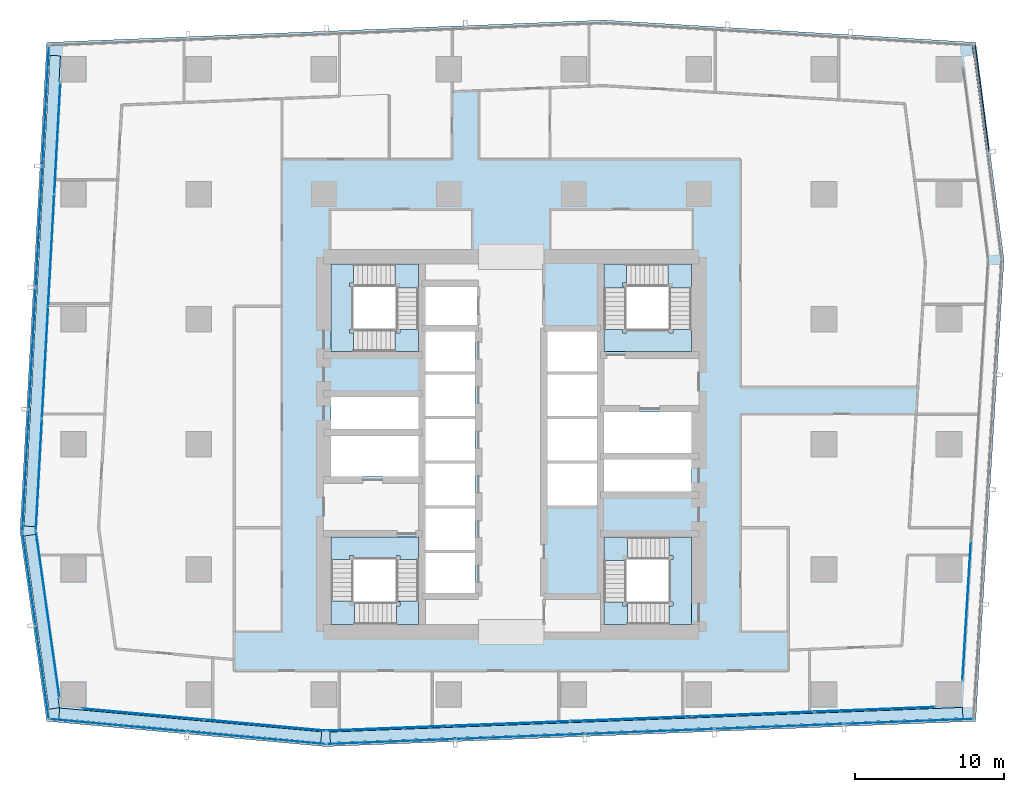
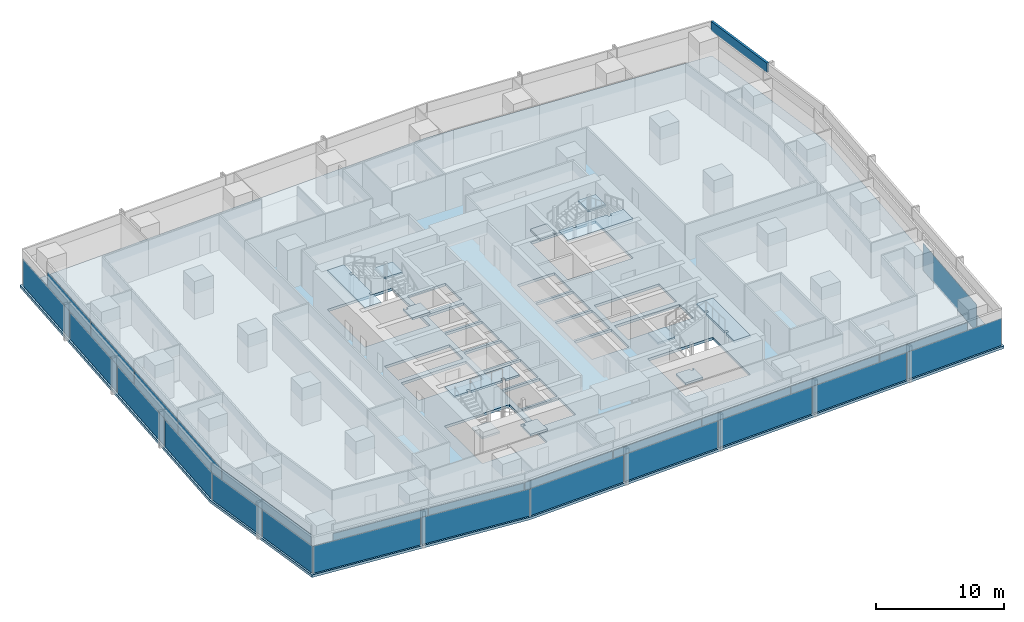
# One storey, part 27 of 40: 30 plates, 13 slabs, 1 member, 14 elements without a shape of their own.
"""IFC4 building model written with IfcOpenShell, lengths in metres."""

from ifc_helpers import new_model, si_unit, direction, frame, origin, origin_2d, place, context, subcontext, project, spatial, polyline, rectangle, hollow_rectangle, outline, extrude, material, layer, layer_set, material_profile, profile_set, type_object, element, aggregate, save


model = new_model("IFC4")

# Units and contexts
model_context = context("Model", 3, precision=1e-05, world=origin(), true_north=direction((0.0, 1.0)))
body_context = subcontext(model_context, "Body", "Model", "MODEL_VIEW")
ifc_project = project(units=[si_unit("LENGTHUNIT", "METRE"), si_unit("AREAUNIT", "SQUARE_METRE"), si_unit("VOLUMEUNIT", "CUBIC_METRE"), si_unit("PLANEANGLEUNIT", "RADIAN"), si_unit("MASSUNIT", "GRAM", prefix="KILO")], contexts=[model_context])

# Site, building, storey
site_placement = place(None, origin())
site = spatial("IfcSite", under=ifc_project, at=site_placement, CompositionType="ELEMENT")
building_placement = place(site_placement, origin())
building = spatial("IfcBuilding", under=site, at=building_placement, Name="Rekha Terrace Tower", CompositionType="ELEMENT")
storey_placement = place(building_placement, frame((0.0, 0.0, 125.300048828125)))
storey = spatial("IfcBuildingStorey", under=building, at=storey_placement, Name="L31", CompositionType="ELEMENT", Elevation=125.300048828125)

# Curtain wall, member
ifc_material_1 = material(Name="Aluminium framing", Category="aluminium")
curtain_wall_type_1 = type_object("IfcCurtainWallType", Name="CW2 double skin outer glazing", PredefinedType="USERDEFINED", material=ifc_material_1)
curtain_wall_1_placement = place(storey_placement, origin())
curtain_wall_1 = element("IfcCurtainWall", 1, at=curtain_wall_1_placement, inside=storey, type_object=curtain_wall_type_1, Name="CW2 double skin outer glazing", ObjectType="DOUBLE SKIN OUTER GLAZING", PredefinedType="USERDEFINED")
ifc_material_2 = material(Name="Insulated aluminium spandrel box", Category="aluminium")
ifc_material_profile = material_profile(ifc_material_2, hollow_rectangle(XDim=0.199951171875, YDim=0.89990234375, WallThickness=0.0029296875, at=origin_2d()), Name="AL SPANDREL BOX 200x900")
ifc_profile_set = profile_set([ifc_material_profile], Name="Insulated aluminium spandrel box")
member_type = type_object("IfcMemberType", Name="CW2 spandrel transom 200 x 900", PredefinedType="USERDEFINED", material=ifc_profile_set)
member_placement = place(storey_placement, frame((69.793701171875, 53.26513671875, 3.050048828125), z_axis=(-0.12912937971, 0.9916277544, 0.0), x_axis=(-0.9916277544, -0.12912937971, 0.0)))
member = element("IfcMember", 2, at=member_placement, type_object=member_type, Name="CW2 spandrel transom 2", ObjectType="TRANSOM", PredefinedType="USERDEFINED", context=body_context, shape_type="SweptSolid", body=[
    extrude(hollow_rectangle(XDim=0.199951171875, YDim=0.89990234375, WallThickness=0.0029296875, at=origin_2d()), origin(), (0.0, 0.0, 1.0), 7.163818359375),
])
aggregate(curtain_wall_1, [member])

# Curtain wall, plates
curtain_wall_type_2 = type_object("IfcCurtainWallType", Name="CW1 double skin inner glazing", PredefinedType="USERDEFINED", material=ifc_material_1)
curtain_wall_2_placement = place(storey_placement, origin())
curtain_wall_2 = element("IfcCurtainWall", 3, at=curtain_wall_2_placement, inside=storey, type_object=curtain_wall_type_2, Name="CW1 double skin inner glazing", ObjectType="DOUBLE SKIN INNER GLAZING", PredefinedType="USERDEFINED")
ifc_material_3 = material(Name="Double-glazed low-e unit 32", Category="glass")
ifc_layer_1 = layer(ifc_material_3, 0.031982421875)
ifc_layer_set_1 = layer_set([ifc_layer_1], Name="Double-glazed low-e unit 32")
plate_type_1 = type_object("IfcPlateType", Name="CW1 jumbo vision panel, double-glazed low-e unit 32", PredefinedType="CURTAIN_PANEL", material=ifc_layer_set_1)
plate_1_placement = place(storey_placement, frame((13.0439453125, 15.479248046875, 0.0), z_axis=(0.0, 0.0, 1.0), x_axis=(0.995901923142, -0.090439811381, 0.0)))
plate_1 = element("IfcPlate", 4, at=plate_1_placement, type_object=plate_type_1, Name="CW1 panel 1.1", PredefinedType="CURTAIN_PANEL", context=body_context, shape_type="SweptSolid", body=[
    extrude(rectangle(XDim=8.1494140625, YDim=0.031982421875, at=origin_2d()), origin(), (0.0, 0.0, 1.0), 2.60009765625),
])
plate_2_placement = place(storey_placement, frame((21.257080078125, 14.7333984375, 0.0), z_axis=(0.0, 0.0, 1.0), x_axis=(0.995901923142, -0.090439811381, 0.0)))
plate_2 = element("IfcPlate", 5, at=plate_2_placement, type_object=plate_type_1, Name="CW1 panel 2.1", PredefinedType="CURTAIN_PANEL", context=body_context, shape_type="SweptSolid", body=[
    extrude(rectangle(XDim=8.214599609375, YDim=0.031982421875, at=origin_2d()), origin(), (0.0, 0.0, 1.0), 2.60009765625),
])
aggregate(curtain_wall_2, [plate_1, plate_2])

curtain_wall_3_placement = place(storey_placement, origin())
curtain_wall_3 = element("IfcCurtainWall", 6, at=curtain_wall_3_placement, inside=storey, type_object=curtain_wall_type_2, Name="CW1 double skin inner glazing", ObjectType="DOUBLE SKIN INNER GLAZING", PredefinedType="USERDEFINED")
plate_3_placement = place(storey_placement, frame((29.4619140625, 14.52197265625, 0.0), z_axis=(0.0, 0.0, 1.0), x_axis=(0.999243498917, 0.038889971345, 0.0)))
plate_3 = element("IfcPlate", 7, at=plate_3_placement, type_object=plate_type_1, Name="CW1 panel 1.1", PredefinedType="CURTAIN_PANEL", context=body_context, shape_type="SweptSolid", body=[
    extrude(rectangle(XDim=8.105224609375, YDim=0.031982421875, at=origin_2d()), origin(), (0.0, 0.0, 1.0), 2.60009765625),
])
plate_4_placement = place(storey_placement, frame((37.64208984375, 14.84033203125, 0.0), z_axis=(0.0, 0.0, 1.0), x_axis=(0.999243498917, 0.038889971345, 0.0)))
plate_4 = element("IfcPlate", 8, at=plate_4_placement, type_object=plate_type_1, Name="CW1 panel 2.1", PredefinedType="CURTAIN_PANEL", context=body_context, shape_type="SweptSolid", body=[
    extrude(rectangle(XDim=8.1376953125, YDim=0.031982421875, at=origin_2d()), origin(), (0.0, 0.0, 1.0), 2.60009765625),
])
plate_5_placement = place(storey_placement, frame((45.838623046875, 15.159423828125, 0.0), z_axis=(0.0, 0.0, 1.0), x_axis=(0.999243498917, 0.038889971345, 0.0)))
plate_5 = element("IfcPlate", 9, at=plate_5_placement, type_object=plate_type_1, Name="CW1 panel 3.1", PredefinedType="CURTAIN_PANEL", context=body_context, shape_type="SweptSolid", body=[
    extrude(rectangle(XDim=8.1376953125, YDim=0.031982421875, at=origin_2d()), origin(), (0.0, 0.0, 1.0), 2.60009765625),
])
plate_6_placement = place(storey_placement, frame((54.034912109375, 15.478271484375, 0.0), z_axis=(0.0, 0.0, 1.0), x_axis=(0.999243498917, 0.038889971345, 0.0)))
plate_6 = element("IfcPlate", 10, at=plate_6_placement, type_object=plate_type_1, Name="CW1 panel 4.1", PredefinedType="CURTAIN_PANEL", context=body_context, shape_type="SweptSolid", body=[
    extrude(rectangle(XDim=8.1376953125, YDim=0.031982421875, at=origin_2d()), origin(), (0.0, 0.0, 1.0), 2.60009765625),
])
plate_7_placement = place(storey_placement, frame((62.21533203125, 15.796630859375, 0.0), z_axis=(0.0, 0.0, 1.0), x_axis=(0.999243498917, 0.038889971345, 0.0)))
plate_7 = element("IfcPlate", 11, at=plate_7_placement, type_object=plate_type_1, Name="CW1 panel 5.1", PredefinedType="CURTAIN_PANEL", context=body_context, shape_type="SweptSolid", body=[
    extrude(rectangle(XDim=8.105224609375, YDim=0.031982421875, at=origin_2d()), origin(), (0.0, 0.0, 1.0), 2.60009765625),
])
aggregate(curtain_wall_3, [plate_3, plate_4, plate_5, plate_6, plate_7])

# Curtain wall, plate
curtain_wall_4_placement = place(storey_placement, origin())
curtain_wall_4 = element("IfcCurtainWall", 12, at=curtain_wall_4_placement, inside=storey, type_object=curtain_wall_type_2, Name="CW1 double skin inner glazing", ObjectType="DOUBLE SKIN INNER GLAZING", PredefinedType="USERDEFINED")
plate_8_placement = place(storey_placement, frame((68.391357421875, 22.400634765625, 0.0), z_axis=(0.0, 0.0, 1.0), x_axis=(0.061159803131, 0.998127987024, 0.0)))
plate_8 = element("IfcPlate", 13, at=plate_8_placement, type_object=plate_type_1, Name="CW1 panel 1.1", PredefinedType="CURTAIN_PANEL", context=body_context, shape_type="SweptSolid", body=[
    extrude(rectangle(XDim=9.355224609375, YDim=0.031982421875, at=origin_2d()), origin(), (0.0, 0.0, 1.0), 2.60009765625),
])
aggregate(curtain_wall_4, [plate_8])

# Curtain wall, plates
curtain_wall_5_placement = place(storey_placement, origin())
curtain_wall_5 = element("IfcCurtainWall", 14, at=curtain_wall_5_placement, inside=storey, type_object=curtain_wall_type_2, Name="CW1 double skin inner glazing", ObjectType="DOUBLE SKIN INNER GLAZING", PredefinedType="USERDEFINED")
plate_9_placement = place(storey_placement, frame((7.30810546875, 54.15087890625, 0.0), z_axis=(0.0, 0.0, 1.0), x_axis=(-0.054742352707, -0.99850051318, 0.0)))
plate_9 = element("IfcPlate", 15, at=plate_9_placement, type_object=plate_type_1, Name="CW1 panel 1.1", PredefinedType="CURTAIN_PANEL", context=body_context, shape_type="SweptSolid", body=[
    extrude(rectangle(XDim=7.443359375, YDim=0.031982421875, at=origin_2d()), origin(), (0.0, 0.0, 1.0), 2.60009765625),
])
plate_10_placement = place(storey_placement, frame((6.89599609375, 46.637451171875, 0.0), z_axis=(0.0, 0.0, 1.0), x_axis=(-0.054742352707, -0.99850051318, 0.0)))
plate_10 = element("IfcPlate", 16, at=plate_10_placement, type_object=plate_type_1, Name="CW1 panel 2.1", PredefinedType="CURTAIN_PANEL", context=body_context, shape_type="SweptSolid", body=[
    extrude(rectangle(XDim=7.475830078125, YDim=0.031982421875, at=origin_2d()), origin(), (0.0, 0.0, 1.0), 2.60009765625),
])
plate_11_placement = place(storey_placement, frame((6.4833984375, 39.10791015625, 0.0), z_axis=(0.0, 0.0, 1.0), x_axis=(-0.054742352707, -0.99850051318, 0.0)))
plate_11 = element("IfcPlate", 17, at=plate_11_placement, type_object=plate_type_1, Name="CW1 panel 3.1", PredefinedType="CURTAIN_PANEL", context=body_context, shape_type="SweptSolid", body=[
    extrude(rectangle(XDim=7.475830078125, YDim=0.031982421875, at=origin_2d()), origin(), (0.0, 0.0, 1.0), 2.60009765625),
])
plate_12_placement = place(storey_placement, frame((6.069580078125, 31.56201171875, 0.0), z_axis=(0.0, 0.0, 1.0), x_axis=(-0.054742352707, -0.99850051318, 0.0)))
plate_12 = element("IfcPlate", 18, at=plate_12_placement, type_object=plate_type_1, Name="CW1 panel 4.1", PredefinedType="CURTAIN_PANEL", context=body_context, shape_type="SweptSolid", body=[
    extrude(rectangle(XDim=7.508544921875, YDim=0.031982421875, at=origin_2d()), origin(), (0.0, 0.0, 1.0), 2.60009765625),
])
aggregate(curtain_wall_5, [plate_9, plate_10, plate_11, plate_12])

# Curtain wall, plate
curtain_wall_6_placement = place(storey_placement, origin())
curtain_wall_6 = element("IfcCurtainWall", 19, at=curtain_wall_6_placement, inside=storey, type_object=curtain_wall_type_2, Name="CW1 double skin inner glazing", ObjectType="DOUBLE SKIN INNER GLAZING", PredefinedType="USERDEFINED")
plate_13_placement = place(storey_placement, frame((6.65869140625, 22.177490234375, 0.0), z_axis=(0.0, 0.0, 1.0), x_axis=(0.139597048082, -0.990208394312, 0.0)))
plate_13 = element("IfcPlate", 20, at=plate_13_placement, type_object=plate_type_1, Name="CW1 panel 1.1", PredefinedType="CURTAIN_PANEL", context=body_context, shape_type="SweptSolid", body=[
    extrude(rectangle(XDim=11.253173828125, YDim=0.031982421875, at=origin_2d()), origin(), (0.0, 0.0, 1.0), 2.60009765625),
])
aggregate(curtain_wall_6, [plate_13])

# Curtain wall, plates
curtain_wall_7_placement = place(storey_placement, origin())
curtain_wall_7 = element("IfcCurtainWall", 21, at=curtain_wall_7_placement, inside=storey, type_object=curtain_wall_type_1, Name="CW2 double skin outer glazing", ObjectType="DOUBLE SKIN OUTER GLAZING", PredefinedType="USERDEFINED")
ifc_material_4 = material(Name="Toughened single glazing 12", Category="glass")
ifc_layer_2 = layer(ifc_material_4, 0.011962890625)
ifc_layer_set_2 = layer_set([ifc_layer_2], Name="Toughened single glazing 12")
plate_type_2 = type_object("IfcPlateType", Name="CW2 jumbo vision panel, toughened single glazing 12", PredefinedType="CURTAIN_PANEL", material=ifc_layer_set_2)
plate_14_placement = place(storey_placement, frame((11.406494140625, 14.72412109375, 0.0), z_axis=(0.0, 0.0, 1.0), x_axis=(0.995901923137, -0.090439811433, 0.0)))
plate_14 = element("IfcPlate", 22, at=plate_14_placement, type_object=plate_type_2, Name="CW2 panel 1.1", PredefinedType="CURTAIN_PANEL", context=body_context, shape_type="SweptSolid", body=[
    extrude(rectangle(XDim=9.2099609375, YDim=0.011962890625, at=origin_2d()), origin(), (0.0, 0.0, 1.0), 2.60009765625),
])
plate_15_placement = place(storey_placement, frame((20.6982421875, 13.88037109375, 0.0), z_axis=(0.0, 0.0, 1.0), x_axis=(0.995901923137, -0.090439811433, 0.0)))
plate_15 = element("IfcPlate", 23, at=plate_15_placement, type_object=plate_type_2, Name="CW2 panel 2.1", PredefinedType="CURTAIN_PANEL", context=body_context, shape_type="SweptSolid", body=[
    extrude(rectangle(XDim=9.2900390625, YDim=0.011962890625, at=origin_2d()), origin(), (0.0, 0.0, 1.0), 2.60009765625),
])
aggregate(curtain_wall_7, [plate_14, plate_15])

curtain_wall_8_placement = place(storey_placement, origin())
curtain_wall_8 = element("IfcCurtainWall", 24, at=curtain_wall_8_placement, inside=storey, type_object=curtain_wall_type_1, Name="CW2 double skin outer glazing", ObjectType="DOUBLE SKIN OUTER GLAZING", PredefinedType="USERDEFINED")
plate_16_placement = place(storey_placement, frame((29.696533203125, 13.63037109375, 0.0), z_axis=(0.0, 0.0, 1.0), x_axis=(0.999243498917, 0.038889971345, 0.0)))
plate_16 = element("IfcPlate", 25, at=plate_16_placement, type_object=plate_type_2, Name="CW2 panel 1.1", PredefinedType="CURTAIN_PANEL", context=body_context, shape_type="SweptSolid", body=[
    extrude(rectangle(XDim=8.591552734375, YDim=0.011962890625, at=origin_2d()), origin(), (0.0, 0.0, 1.0), 2.60009765625),
])
plate_17_placement = place(storey_placement, frame((38.381591796875, 13.968505859375, 0.0), z_axis=(0.0, 0.0, 1.0), x_axis=(0.999243498917, 0.038889971345, 0.0)))
plate_17 = element("IfcPlate", 26, at=plate_17_placement, type_object=plate_type_2, Name="CW2 panel 2.1", PredefinedType="CURTAIN_PANEL", context=body_context, shape_type="SweptSolid", body=[
    extrude(rectangle(XDim=8.631591796875, YDim=0.011962890625, at=origin_2d()), origin(), (0.0, 0.0, 1.0), 2.60009765625),
])
plate_18_placement = place(storey_placement, frame((47.086669921875, 14.307373046875, 0.0), z_axis=(0.0, 0.0, 1.0), x_axis=(0.999243498917, 0.038889971345, 0.0)))
plate_18 = element("IfcPlate", 27, at=plate_18_placement, type_object=plate_type_2, Name="CW2 panel 3.1", PredefinedType="CURTAIN_PANEL", context=body_context, shape_type="SweptSolid", body=[
    extrude(rectangle(XDim=8.631591796875, YDim=0.011962890625, at=origin_2d()), origin(), (0.0, 0.0, 1.0), 2.60009765625),
])
plate_19_placement = place(storey_placement, frame((55.791748046875, 14.64599609375, 0.0), z_axis=(0.0, 0.0, 1.0), x_axis=(0.999243498917, 0.038889971345, 0.0)))
plate_19 = element("IfcPlate", 28, at=plate_19_placement, type_object=plate_type_2, Name="CW2 panel 4.1", PredefinedType="CURTAIN_PANEL", context=body_context, shape_type="SweptSolid", body=[
    extrude(rectangle(XDim=8.631591796875, YDim=0.011962890625, at=origin_2d()), origin(), (0.0, 0.0, 1.0), 2.60009765625),
])
plate_20_placement = place(storey_placement, frame((64.5166015625, 14.985595703125, 0.0), z_axis=(0.0, 0.0, 1.0), x_axis=(0.999243498917, 0.038889971345, 0.0)))
plate_20 = element("IfcPlate", 29, at=plate_20_placement, type_object=plate_type_2, Name="CW2 panel 5.1", PredefinedType="CURTAIN_PANEL", context=body_context, shape_type="SweptSolid", body=[
    extrude(rectangle(XDim=8.671630859375, YDim=0.011962890625, at=origin_2d()), origin(), (0.0, 0.0, 1.0), 2.60009765625),
])
aggregate(curtain_wall_8, [plate_16, plate_17, plate_18, plate_19, plate_20])

curtain_wall_9_placement = place(storey_placement, origin())
curtain_wall_9 = element("IfcCurtainWall", 30, at=curtain_wall_9_placement, inside=storey, type_object=curtain_wall_type_1, Name="CW2 double skin outer glazing", ObjectType="DOUBLE SKIN OUTER GLAZING", PredefinedType="USERDEFINED")
plate_21_placement = place(storey_placement, frame((6.52685546875, 56.342041015625, 0.0), z_axis=(0.0, 0.0, 1.0), x_axis=(-0.054742352707, -0.99850051318, 0.0)))
plate_21 = element("IfcPlate", 31, at=plate_21_placement, type_object=plate_type_2, Name="CW2 panel 1.1", PredefinedType="CURTAIN_PANEL", context=body_context, shape_type="SweptSolid", body=[
    extrude(rectangle(XDim=8.06005859375, YDim=0.011962890625, at=origin_2d()), origin(), (0.0, 0.0, 1.0), 2.60009765625),
])
plate_22_placement = place(storey_placement, frame((6.080078125, 48.1943359375, 0.0), z_axis=(0.0, 0.0, 1.0), x_axis=(-0.054742352707, -0.99850051318, 0.0)))
plate_22 = element("IfcPlate", 32, at=plate_22_placement, type_object=plate_type_2, Name="CW2 panel 2.1", PredefinedType="CURTAIN_PANEL", context=body_context, shape_type="SweptSolid", body=[
    extrude(rectangle(XDim=8.10009765625, YDim=0.011962890625, at=origin_2d()), origin(), (0.0, 0.0, 1.0), 2.60009765625),
])
plate_23_placement = place(storey_placement, frame((5.63232421875, 40.026611328125, 0.0), z_axis=(0.0, 0.0, 1.0), x_axis=(-0.054742352707, -0.99850051318, 0.0)))
plate_23 = element("IfcPlate", 33, at=plate_23_placement, type_object=plate_type_2, Name="CW2 panel 3.1", PredefinedType="CURTAIN_PANEL", context=body_context, shape_type="SweptSolid", body=[
    extrude(rectangle(XDim=8.10009765625, YDim=0.011962890625, at=origin_2d()), origin(), (0.0, 0.0, 1.0), 2.60009765625),
])
plate_24_placement = place(storey_placement, frame((5.183349609375, 31.8388671875, 0.0), z_axis=(0.0, 0.0, 1.0), x_axis=(-0.054742352707, -0.99850051318, 0.0)))
plate_24 = element("IfcPlate", 34, at=plate_24_placement, type_object=plate_type_2, Name="CW2 panel 4.1", PredefinedType="CURTAIN_PANEL", context=body_context, shape_type="SweptSolid", body=[
    extrude(rectangle(XDim=8.14013671875, YDim=0.011962890625, at=origin_2d()), origin(), (0.0, 0.0, 1.0), 2.60009765625),
])
aggregate(curtain_wall_9, [plate_21, plate_22, plate_23, plate_24])

curtain_wall_10_placement = place(storey_placement, origin())
curtain_wall_10 = element("IfcCurtainWall", 35, at=curtain_wall_10_placement, inside=storey, type_object=curtain_wall_type_1, Name="CW2 double skin outer glazing", ObjectType="DOUBLE SKIN OUTER GLAZING", PredefinedType="USERDEFINED")
plate_25_placement = place(storey_placement, frame((5.408447265625, 24.598388671875, 0.0), z_axis=(0.0, 0.0, 1.0), x_axis=(0.139597048082, -0.990208394312, 0.0)))
plate_25 = element("IfcPlate", 36, at=plate_25_placement, type_object=plate_type_2, Name="CW2 panel 1.1", PredefinedType="CURTAIN_PANEL", context=body_context, shape_type="SweptSolid", body=[
    extrude(rectangle(XDim=6.255859375, YDim=0.011962890625, at=origin_2d()), origin(), (0.0, 0.0, 1.0), 2.60009765625),
])
plate_26_placement = place(storey_placement, frame((6.298583984375, 18.284912109375, 0.0), z_axis=(0.0, 0.0, 1.0), x_axis=(0.139597048082, -0.990208394312, 0.0)))
plate_26 = element("IfcPlate", 37, at=plate_26_placement, type_object=plate_type_2, Name="CW2 panel 2.1", PredefinedType="CURTAIN_PANEL", context=body_context, shape_type="SweptSolid", body=[
    extrude(rectangle(XDim=6.3359375, YDim=0.011962890625, at=origin_2d()), origin(), (0.0, 0.0, 1.0), 2.60009765625),
])
aggregate(curtain_wall_10, [plate_25, plate_26])

# Plates
ifc_material_5 = material(Name="Galvanised steel open grating", Category="steel")
ifc_layer_3 = layer(ifc_material_5, 0.050048828125)
ifc_layer_set_3 = layer_set([ifc_layer_3], Name="Galvanised steel open grating")
plate_type_3 = type_object("IfcPlateType", Name="GT1 cavity walkway grating 50", PredefinedType="USERDEFINED", material=ifc_layer_set_3)
plate_27_placement = place(storey_placement, frame((16.236083984375, 14.737548828125, 0.0), z_axis=(0.0, 0.0, 1.0), x_axis=(0.99590192314, -0.090439811399, 0.0)))
element("IfcPlate", 38, at=plate_27_placement, inside=storey, type_object=plate_type_3, Name="Cavity walkway grating", ObjectType="CAVITY WALKWAY GRATING", PredefinedType="USERDEFINED", context=body_context, shape_type="SweptSolid", body=[
    extrude(rectangle(XDim=17.674072265625, YDim=0.705078125, at=origin_2d()), origin(), (0.0, 0.0, 1.0), 0.050048828125),
])
plate_28_placement = place(storey_placement, frame((46.88037109375, 14.74951171875, 0.0), z_axis=(0.0, 0.0, 1.0), x_axis=(0.999243498917, 0.038889971345, 0.0)))
element("IfcPlate", 39, at=plate_28_placement, inside=storey, type_object=plate_type_3, Name="Cavity walkway grating", ObjectType="CAVITY WALKWAY GRATING", PredefinedType="USERDEFINED", context=body_context, shape_type="SweptSolid", body=[
    extrude(rectangle(XDim=42.521728515625, YDim=0.705078125, at=origin_2d()), origin(), (0.0, 0.0, 1.0), 0.050048828125),
])
plate_29_placement = place(storey_placement, frame((6.295654296875, 43.9033203125, 0.0), z_axis=(0.0, 0.0, 1.0), x_axis=(-0.05474235269, -0.998500513181, 0.0)))
element("IfcPlate", 40, at=plate_29_placement, inside=storey, type_object=plate_type_3, Name="Cavity walkway grating", ObjectType="CAVITY WALKWAY GRATING", PredefinedType="USERDEFINED", context=body_context, shape_type="SweptSolid", body=[
    extrude(rectangle(XDim=31.6669921875, YDim=0.705078125, at=origin_2d()), origin(), (0.0, 0.0, 1.0), 0.050048828125),
])
plate_30_placement = place(storey_placement, frame((6.2744140625, 21.678955078125, 0.0), z_axis=(0.0, 0.0, 1.0), x_axis=(0.139597048064, -0.990208394315, 0.0)))
element("IfcPlate", 41, at=plate_30_placement, inside=storey, type_object=plate_type_3, Name="Cavity walkway grating", ObjectType="CAVITY WALKWAY GRATING", PredefinedType="USERDEFINED", context=body_context, shape_type="SweptSolid", body=[
    extrude(rectangle(XDim=11.751220703125, YDim=0.705078125, at=origin_2d()), origin(), (0.0, 0.0, 1.0), 0.050048828125),
])

# Stair, slabs
ifc_material_6 = material(Name="Concrete M40", Category="concrete")
stair_type = type_object("IfcStairType", Name="ST30 stair, 30 risers of 125, going 310, 1500 wide flights, 3 flights", PredefinedType="HALF_TURN_STAIR", material=ifc_material_6)
stair_1_placement = place(storey_placement, origin())
stair_1 = element("IfcStair", 42, at=stair_1_placement, inside=storey, type_object=stair_type, Name="Stair ST1 L31 to L32", PredefinedType="HALF_TURN_STAIR")
ifc_layer_4 = layer(ifc_material_6, 0.199951171875)
ifc_layer_set_4 = layer_set([ifc_layer_4], Name="Concrete M40")
slab_type_1 = type_object("IfcSlabType", Name="LD1 200 concrete stair landing", PredefinedType="LANDING", material=ifc_layer_set_4)
slab_1_placement = place(storey_placement, frame((0.0, 0.0, 1.050048828125)))
slab_1 = element("IfcSlab", 43, at=slab_1_placement, type_object=slab_type_1, Name="ST1 landing 1", PredefinedType="LANDING", context=body_context, shape_type="SweptSolid", body=[
    extrude(outline(polyline([(30.074951171875, 21.5), (31.574951171875, 21.5), (31.574951171875, 23.0849609375), (30.074951171875, 23.0849609375), (30.074951171875, 23.0), (30.324951171875, 23.0), (30.324951171875, 22.75), (30.074951171875, 22.75), (30.074951171875, 21.5)])), origin(), (0.0, 0.0, 1.0), 0.199951171875),
])
slab_2_placement = place(storey_placement, frame((0.0, 0.0, 2.300048828125)))
slab_2 = element("IfcSlab", 44, at=slab_2_placement, type_object=slab_type_1, Name="ST1 landing 2", PredefinedType="LANDING", context=body_context, shape_type="SweptSolid", body=[
    extrude(outline(polyline([(27.199951171875, 23.0849609375), (25.699951171875, 23.0849609375), (25.699951171875, 21.5), (27.284912109375, 21.5), (27.284912109375, 23.0), (27.199951171875, 23.0), (27.199951171875, 23.0849609375)])), origin(), (0.0, 0.0, 1.0), 0.199951171875),
])
slab_3_placement = place(storey_placement, frame((0.0, 0.0, 3.550048828125)))
slab_3 = element("IfcSlab", 45, at=slab_3_placement, type_object=slab_type_1, Name="ST1 landing 3", PredefinedType="LANDING", context=body_context, shape_type="SweptSolid", body=[
    extrude(outline(polyline([(31.574951171875, 25.875), (31.574951171875, 27.375), (25.699951171875, 27.375), (25.699951171875, 25.875), (26.949951171875, 25.875), (26.949951171875, 26.125), (27.199951171875, 26.125), (27.199951171875, 25.875), (30.074951171875, 25.875), (30.074951171875, 26.125), (30.324951171875, 26.125), (30.324951171875, 25.875), (31.574951171875, 25.875)])), origin(), (0.0, 0.0, 1.0), 0.199951171875),
])
aggregate(stair_1, [slab_1, slab_2, slab_3])

stair_2_placement = place(storey_placement, origin())
stair_2 = element("IfcStair", 46, at=stair_2_placement, inside=storey, type_object=stair_type, Name="Stair ST2 L31 to L32", PredefinedType="HALF_TURN_STAIR")
slab_4_placement = place(storey_placement, frame((0.0, 0.0, 1.050048828125)))
slab_4 = element("IfcSlab", 47, at=slab_4_placement, type_object=slab_type_1, Name="ST2 landing 1", PredefinedType="LANDING", context=body_context, shape_type="SweptSolid", body=[
    extrude(outline(polyline([(45.52490234375, 45.699951171875), (44.02490234375, 45.699951171875), (44.02490234375, 44.114990234375), (45.52490234375, 44.114990234375), (45.52490234375, 44.199951171875), (45.27490234375, 44.199951171875), (45.27490234375, 44.449951171875), (45.52490234375, 44.449951171875), (45.52490234375, 45.699951171875)])), origin(), (0.0, 0.0, 1.0), 0.199951171875),
])
slab_5_placement = place(storey_placement, frame((0.0, 0.0, 2.300048828125)))
slab_5 = element("IfcSlab", 48, at=slab_5_placement, type_object=slab_type_1, Name="ST2 landing 2", PredefinedType="LANDING", context=body_context, shape_type="SweptSolid", body=[
    extrude(outline(polyline([(48.39990234375, 44.114990234375), (49.89990234375, 44.114990234375), (49.89990234375, 45.699951171875), (48.31494140625, 45.699951171875), (48.31494140625, 44.199951171875), (48.39990234375, 44.199951171875), (48.39990234375, 44.114990234375)])), origin(), (0.0, 0.0, 1.0), 0.199951171875),
])
slab_6_placement = place(storey_placement, frame((0.0, 0.0, 3.550048828125)))
slab_6 = element("IfcSlab", 49, at=slab_6_placement, type_object=slab_type_1, Name="ST2 landing 3", PredefinedType="LANDING", context=body_context, shape_type="SweptSolid", body=[
    extrude(outline(polyline([(44.02490234375, 41.324951171875), (44.02490234375, 39.824951171875), (49.89990234375, 39.824951171875), (49.89990234375, 41.324951171875), (48.64990234375, 41.324951171875), (48.64990234375, 41.074951171875), (48.39990234375, 41.074951171875), (48.39990234375, 41.324951171875), (45.52490234375, 41.324951171875), (45.52490234375, 41.074951171875), (45.27490234375, 41.074951171875), (45.27490234375, 41.324951171875), (44.02490234375, 41.324951171875)])), origin(), (0.0, 0.0, 1.0), 0.199951171875),
])
aggregate(stair_2, [slab_4, slab_5, slab_6])

stair_3_placement = place(storey_placement, origin())
stair_3 = element("IfcStair", 50, at=stair_3_placement, inside=storey, type_object=stair_type, Name="Stair ST3 L31 to L32", PredefinedType="HALF_TURN_STAIR")
slab_7_placement = place(storey_placement, frame((0.0, 0.0, 1.050048828125)))
slab_7 = element("IfcSlab", 51, at=slab_7_placement, type_object=slab_type_1, Name="ST3 landing 1", PredefinedType="LANDING", context=body_context, shape_type="SweptSolid", body=[
    extrude(outline(polyline([(44.02490234375, 23.0), (44.02490234375, 21.5), (45.610107421875, 21.5), (45.610107421875, 23.0), (45.52490234375, 23.0), (45.52490234375, 22.75), (45.27490234375, 22.75), (45.27490234375, 23.0), (44.02490234375, 23.0)])), origin(), (0.0, 0.0, 1.0), 0.199951171875),
])
slab_8_placement = place(storey_placement, frame((0.0, 0.0, 2.300048828125)))
slab_8 = element("IfcSlab", 52, at=slab_8_placement, type_object=slab_type_1, Name="ST3 landing 2", PredefinedType="LANDING", context=body_context, shape_type="SweptSolid", body=[
    extrude(outline(polyline([(45.610107421875, 25.875), (45.610107421875, 27.375), (44.02490234375, 27.375), (44.02490234375, 25.7900390625), (45.52490234375, 25.7900390625), (45.52490234375, 25.875), (45.610107421875, 25.875)])), origin(), (0.0, 0.0, 1.0), 0.199951171875),
])
slab_9_placement = place(storey_placement, frame((0.0, 0.0, 3.550048828125)))
slab_9 = element("IfcSlab", 53, at=slab_9_placement, type_object=slab_type_1, Name="ST3 landing 3", PredefinedType="LANDING", context=body_context, shape_type="SweptSolid", body=[
    extrude(outline(polyline([(48.39990234375, 21.5), (49.89990234375, 21.5), (49.89990234375, 27.375), (48.39990234375, 27.375), (48.39990234375, 26.125), (48.64990234375, 26.125), (48.64990234375, 25.875), (48.39990234375, 25.875), (48.39990234375, 23.0), (48.64990234375, 23.0), (48.64990234375, 22.75), (48.39990234375, 22.75), (48.39990234375, 21.5)])), origin(), (0.0, 0.0, 1.0), 0.199951171875),
])
aggregate(stair_3, [slab_7, slab_8, slab_9])

stair_4_placement = place(storey_placement, origin())
stair_4 = element("IfcStair", 54, at=stair_4_placement, inside=storey, type_object=stair_type, Name="Stair ST4 L31 to L32", PredefinedType="HALF_TURN_STAIR")
slab_10_placement = place(storey_placement, frame((0.0, 0.0, 1.050048828125)))
slab_10 = element("IfcSlab", 55, at=slab_10_placement, type_object=slab_type_1, Name="ST4 landing 1", PredefinedType="LANDING", context=body_context, shape_type="SweptSolid", body=[
    extrude(outline(polyline([(31.574951171875, 41.324951171875), (31.574951171875, 39.824951171875), (29.989990234375, 39.824951171875), (29.989990234375, 41.324951171875), (30.074951171875, 41.324951171875), (30.074951171875, 41.074951171875), (30.324951171875, 41.074951171875), (30.324951171875, 41.324951171875), (31.574951171875, 41.324951171875)])), origin(), (0.0, 0.0, 1.0), 0.199951171875),
])
slab_11_placement = place(storey_placement, frame((0.0, 0.0, 2.300048828125)))
slab_11 = element("IfcSlab", 56, at=slab_11_placement, type_object=slab_type_1, Name="ST4 landing 2", PredefinedType="LANDING", context=body_context, shape_type="SweptSolid", body=[
    extrude(outline(polyline([(29.989990234375, 44.199951171875), (29.989990234375, 45.699951171875), (31.574951171875, 45.699951171875), (31.574951171875, 44.114990234375), (30.074951171875, 44.114990234375), (30.074951171875, 44.199951171875), (29.989990234375, 44.199951171875)])), origin(), (0.0, 0.0, 1.0), 0.199951171875),
])
slab_12_placement = place(storey_placement, frame((0.0, 0.0, 3.550048828125)))
slab_12 = element("IfcSlab", 57, at=slab_12_placement, type_object=slab_type_1, Name="ST4 landing 3", PredefinedType="LANDING", context=body_context, shape_type="SweptSolid", body=[
    extrude(outline(polyline([(27.199951171875, 39.824951171875), (25.699951171875, 39.824951171875), (25.699951171875, 45.699951171875), (27.199951171875, 45.699951171875), (27.199951171875, 44.449951171875), (26.949951171875, 44.449951171875), (26.949951171875, 44.199951171875), (27.199951171875, 44.199951171875), (27.199951171875, 41.324951171875), (26.949951171875, 41.324951171875), (26.949951171875, 41.074951171875), (27.199951171875, 41.074951171875), (27.199951171875, 39.824951171875)])), origin(), (0.0, 0.0, 1.0), 0.199951171875),
])
aggregate(stair_4, [slab_10, slab_11, slab_12])

# Slab
ifc_material_7 = material(Name="Concrete M50", Category="concrete")
ifc_layer_5 = layer(ifc_material_7, 0.25)
ifc_layer_set_5 = layer_set([ifc_layer_5], Name="Concrete M50")
slab_type_2 = type_object("IfcSlabType", Name="SL4 250 post-tensioned flat plate", PredefinedType="FLOOR", material=ifc_layer_set_5)
slab_13_placement = place(storey_placement, frame((0.0, 0.0, -0.25)))
element("IfcSlab", 58, at=slab_13_placement, inside=storey, type_object=slab_type_2, Name="Post-tensioned flat plate L31", PredefinedType="FLOOR", context=body_context, shape_type="SweptSolid", body=[
    extrude(outline(polyline([(4.800048828125, 27.76806640625), (6.60009765625, 15.0), (25.320068359375, 13.300048828125), (69.0, 15.0), (70.89990234375, 46.008056640625), (69.0, 60.60009765625), (44.0400390625, 62.10009765625), (6.60009765625, 60.60009765625), (4.800048828125, 27.76806640625)]), holes=[polyline([(31.574951171875, 27.375), (31.574951171875, 21.5), (25.699951171875, 21.5), (25.699951171875, 27.375), (31.574951171875, 27.375)]), polyline([(35.375, 26.300048828125), (35.375, 23.625), (32.02490234375, 23.625), (32.02490234375, 26.300048828125), (35.375, 26.300048828125)]), polyline([(35.375, 29.300048828125), (35.375, 26.5), (32.02490234375, 26.5), (32.02490234375, 29.300048828125), (35.375, 29.300048828125)]), polyline([(35.375, 32.300048828125), (35.375, 29.5), (32.02490234375, 29.5), (32.02490234375, 32.300048828125), (35.375, 32.300048828125)]), polyline([(31.574951171875, 34.175048828125), (31.574951171875, 31.425048828125), (25.699951171875, 31.425048828125), (25.699951171875, 34.175048828125), (31.574951171875, 34.175048828125)]), polyline([(35.375, 35.300048828125), (35.375, 32.5), (32.02490234375, 32.5), (32.02490234375, 35.300048828125), (35.375, 35.300048828125)]), polyline([(31.574951171875, 36.77490234375), (31.574951171875, 34.625), (25.699951171875, 34.625), (25.699951171875, 36.77490234375), (31.574951171875, 36.77490234375)]), polyline([(35.375, 35.5), (32.02490234375, 35.5), (32.02490234375, 38.300048828125), (35.375, 38.300048828125), (35.375, 35.5)]), polyline([(35.375, 38.5), (32.02490234375, 38.5), (32.02490234375, 41.175048828125), (35.375, 41.175048828125), (35.375, 38.5)]), polyline([(31.574951171875, 45.699951171875), (31.574951171875, 39.824951171875), (25.699951171875, 39.824951171875), (25.699951171875, 45.699951171875), (31.574951171875, 45.699951171875)]), polyline([(49.89990234375, 27.375), (49.89990234375, 21.5), (44.02490234375, 21.5), (44.02490234375, 27.375), (49.89990234375, 27.375)]), polyline([(43.574951171875, 32.300048828125), (43.574951171875, 29.5), (40.22509765625, 29.5), (40.22509765625, 32.300048828125), (43.574951171875, 32.300048828125)]), polyline([(49.89990234375, 30.425048828125), (44.02490234375, 30.425048828125), (44.02490234375, 32.574951171875), (49.89990234375, 32.574951171875), (49.89990234375, 30.425048828125)]), polyline([(43.574951171875, 32.5), (40.22509765625, 32.5), (40.22509765625, 35.300048828125), (43.574951171875, 35.300048828125), (43.574951171875, 32.5)]), polyline([(49.89990234375, 35.77490234375), (49.89990234375, 33.02490234375), (44.02490234375, 33.02490234375), (44.02490234375, 35.77490234375), (49.89990234375, 35.77490234375)]), polyline([(43.574951171875, 38.300048828125), (43.574951171875, 35.5), (40.22509765625, 35.5), (40.22509765625, 38.300048828125), (43.574951171875, 38.300048828125)]), polyline([(43.574951171875, 41.175048828125), (43.574951171875, 38.5), (40.22509765625, 38.5), (40.22509765625, 41.175048828125), (43.574951171875, 41.175048828125)]), polyline([(49.89990234375, 39.824951171875), (44.02490234375, 39.824951171875), (44.02490234375, 45.699951171875), (49.89990234375, 45.699951171875), (49.89990234375, 39.824951171875)]), polyline([(35.5, 41.625), (32.02490234375, 41.625), (32.02490234375, 44.175048828125), (35.5, 44.175048828125), (35.5, 41.625)])]), origin(), (0.0, 0.0, 1.0), 0.25),
])

save(model, "model.ifc")
